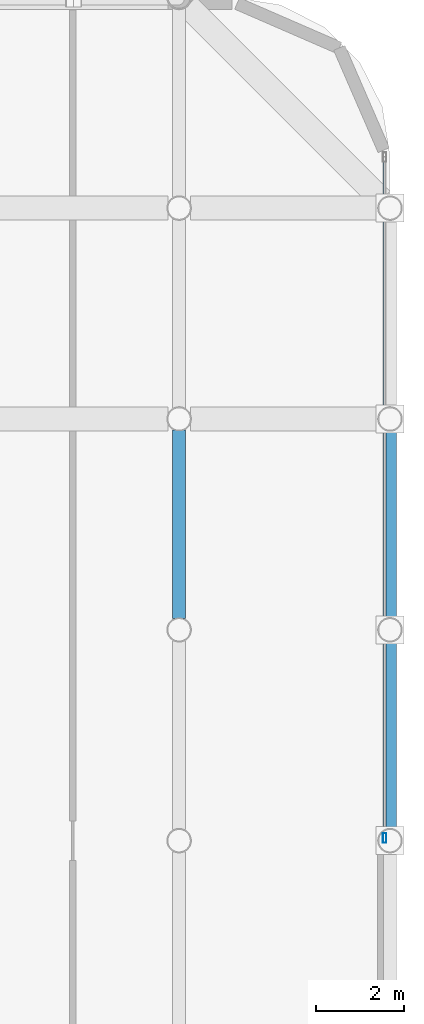
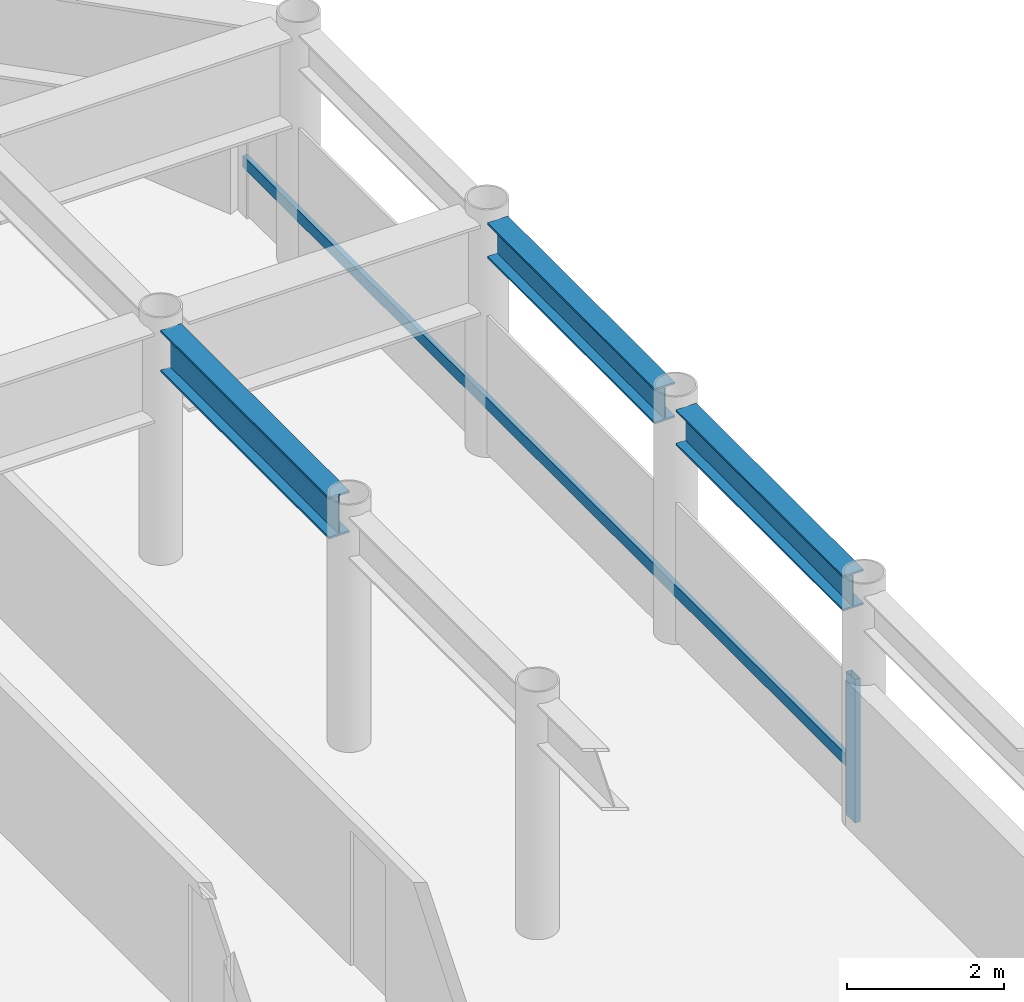
# One storey, part 10 of 22: 3 beams, 2 members, 1 element without a shape of its own.
"""IFC4 building model written with IfcOpenShell, lengths in metres."""

from ifc_helpers import new_model, si_unit, direction, frame, origin, origin_2d, place, context, subcontext, project, spatial, hollow_rectangle, i_section, extrude, material, layer, layer_set, material_profile, profile_set, type_object, element, aggregate, save


model = new_model("IFC4")

# Units and contexts
model_context = context("Model", 3, precision=1e-05, world=origin(), true_north=direction((0.0, 1.0)))
body_context = subcontext(model_context, "Body", "Model", "MODEL_VIEW")
ifc_project = project(units=[si_unit("LENGTHUNIT", "METRE"), si_unit("AREAUNIT", "SQUARE_METRE"), si_unit("VOLUMEUNIT", "CUBIC_METRE"), si_unit("PLANEANGLEUNIT", "RADIAN"), si_unit("MASSUNIT", "GRAM", prefix="KILO")], contexts=[model_context])

# Site, building, storey
site_placement = place(None, origin())
site = spatial("IfcSite", under=ifc_project, at=site_placement, CompositionType="ELEMENT")
building_placement = place(site_placement, origin())
building = spatial("IfcBuilding", under=site, at=building_placement, Name="Kallvorn Hotel Tower", CompositionType="ELEMENT")
storey_placement = place(building_placement, frame((0.0, 0.0, 191.5)))
storey = spatial("IfcBuildingStorey", under=building, at=storey_placement, Name="L47", CompositionType="ELEMENT", Elevation=191.5)

# Beams
ifc_material_1 = material(Name="Structural steel S355JR", Category="steel")
ifc_material_profile_1 = material_profile(ifc_material_1, i_section(OverallWidth=0.300048828125, OverallDepth=0.550048828125, WebThickness=0.014892578125, FlangeThickness=0.029052734375, at=origin_2d()), Name="HE 550 B")
ifc_profile_set_1 = profile_set([ifc_material_profile_1], Name="Structural steel S355JR")
beam_type_1 = type_object("IfcBeamType", Name="BM_HE550B", PredefinedType="SPANDREL", material=ifc_profile_set_1)
for number, where, z_axis, x_axis, name in (
    (1, (33.60009765625, 0.26953125, 3.39501953125), (0.0, 1.0, 0.0), (-1.0, 0.0, 0.0), "L48 Perimeter Spandrel 186"),
    (2, (33.60009765625, 5.069580078125, 3.39501953125), (0.0, 1.0, 0.0), (-1.0, 0.0, 0.0), "L48 Perimeter Spandrel 187"),
):
    element("IfcBeam", number, at=place(storey_placement, frame(where, z_axis=z_axis, x_axis=x_axis)), inside=storey, type_object=beam_type_1, Name=name, PredefinedType="SPANDREL", context=body_context, shape_type="SweptSolid", body=[
        extrude(i_section(OverallWidth=0.300048828125, OverallDepth=0.550048828125, WebThickness=0.014892578125, FlangeThickness=0.029052734375, at=origin_2d()), origin(), (0.0, 0.0, 1.0), 4.260986328125),
    ])
ifc_material_2 = material(Name="Structural steel S355JR", Category="steel")
ifc_material_profile_2 = material_profile(ifc_material_2, i_section(OverallWidth=0.300048828125, OverallDepth=0.64990234375, WebThickness=0.01611328125, FlangeThickness=0.031005859375, at=origin_2d()), Name="HE 650 B")
ifc_profile_set_2 = profile_set([ifc_material_profile_2], Name="Structural steel S355JR")
beam_type_2 = type_object("IfcBeamType", Name="BM_HE650B", PredefinedType="BEAM", material=ifc_profile_set_2)
beam_placement = place(storey_placement, frame((28.800048828125, 5.054443359375, 3.344970703125), z_axis=(0.0, 1.0, 0.0), x_axis=(-1.0, 0.0, 0.0)))
element("IfcBeam", 3, at=beam_placement, inside=storey, type_object=beam_type_2, Name="L48 Primary Y-Girder 148", PredefinedType="BEAM", context=body_context, shape_type="SweptSolid", body=[
    extrude(i_section(OverallWidth=0.300048828125, OverallDepth=0.64990234375, WebThickness=0.01611328125, FlangeThickness=0.031005859375, at=origin_2d()), origin(), (0.0, 0.0, 1.0), 4.291015625),
])

# Curtain wall, members
ifc_material_3 = material(Name="Thermally broken black-anodised aluminium AA 6063-T6", Category="aluminium")
ifc_layer = layer(ifc_material_3, 0.22998046875)
ifc_layer_set = layer_set([ifc_layer], Name="CW_SYS_5_HOTEL_HIGH")
curtain_wall_type = type_object("IfcCurtainWallType", Name="CW_SYS_5_HOTEL_HIGH", PredefinedType="USERDEFINED", material=ifc_layer_set)
curtain_wall_placement = place(storey_placement, origin())
curtain_wall = element("IfcCurtainWall", 4, at=curtain_wall_placement, inside=storey, type_object=curtain_wall_type, Name="L47 Dark-Glass Curtain Wall CW-L47-EN", ObjectType="UNITISED CURTAIN WALL", PredefinedType="USERDEFINED")
ifc_material_4 = material(Name="Thermally broken black-anodised aluminium AA 6063-T6", Category="aluminium")
ifc_material_profile_3 = material_profile(ifc_material_4, hollow_rectangle(XDim=0.080078125, YDim=0.219970703125, WallThickness=0.0048828125, at=origin_2d()), Name="MUL 220x80")
ifc_profile_set_3 = profile_set([ifc_material_profile_3], Name="Thermally broken black-anodised aluminium AA 6063-T6")
member_type_1 = type_object("IfcMemberType", Name="CW_MULLION_220x80", PredefinedType="MULLION", material=ifc_profile_set_3)
member_1_placement = place(storey_placement, frame((33.47998046875, 0.06005859375, 0.02001953125), z_axis=(0.0, 0.0, 1.0), x_axis=(1.0, 0.0, 0.0)))
member_1 = element("IfcMember", 5, at=member_1_placement, type_object=member_type_1, Name="CW-L47-EN Mullion 00", PredefinedType="MULLION", context=body_context, shape_type="SweptSolid", body=[
    extrude(hollow_rectangle(XDim=0.080078125, YDim=0.219970703125, WallThickness=0.0048828125, at=origin_2d()), origin(), (0.0, 0.0, 1.0), 2.22998046875),
])
ifc_material_5 = material(Name="Thermally broken black-anodised aluminium AA 6063-T6", Category="aluminium")
ifc_material_profile_4 = material_profile(ifc_material_5, hollow_rectangle(XDim=0.070068359375, YDim=0.179931640625, WallThickness=0.00390625, at=origin_2d()), Name="TRN 180x70")
ifc_profile_set_4 = profile_set([ifc_material_profile_4], Name="Thermally broken black-anodised aluminium AA 6063-T6")
member_type_2 = type_object("IfcMemberType", Name="CW_TRANSOM_180x70", PredefinedType="USERDEFINED", material=ifc_profile_set_4)
member_2_placement = place(storey_placement, frame((33.47998046875, 0.06005859375, 0.85009765625), z_axis=(0.0, 1.0, 0.0), x_axis=(-1.0, 0.0, 0.0)))
member_2 = element("IfcMember", 6, at=member_2_placement, type_object=member_type_2, Name="CW-L47-EN Transom 00M", ObjectType="TRANSOM", PredefinedType="USERDEFINED", context=body_context, shape_type="SweptSolid", body=[
    extrude(hollow_rectangle(XDim=0.070068359375, YDim=0.179931640625, WallThickness=0.00390625, at=origin_2d()), origin(), (0.0, 0.0, 1.0), 15.5),
])
aggregate(curtain_wall, [member_1, member_2])

save(model, "model.ifc")
